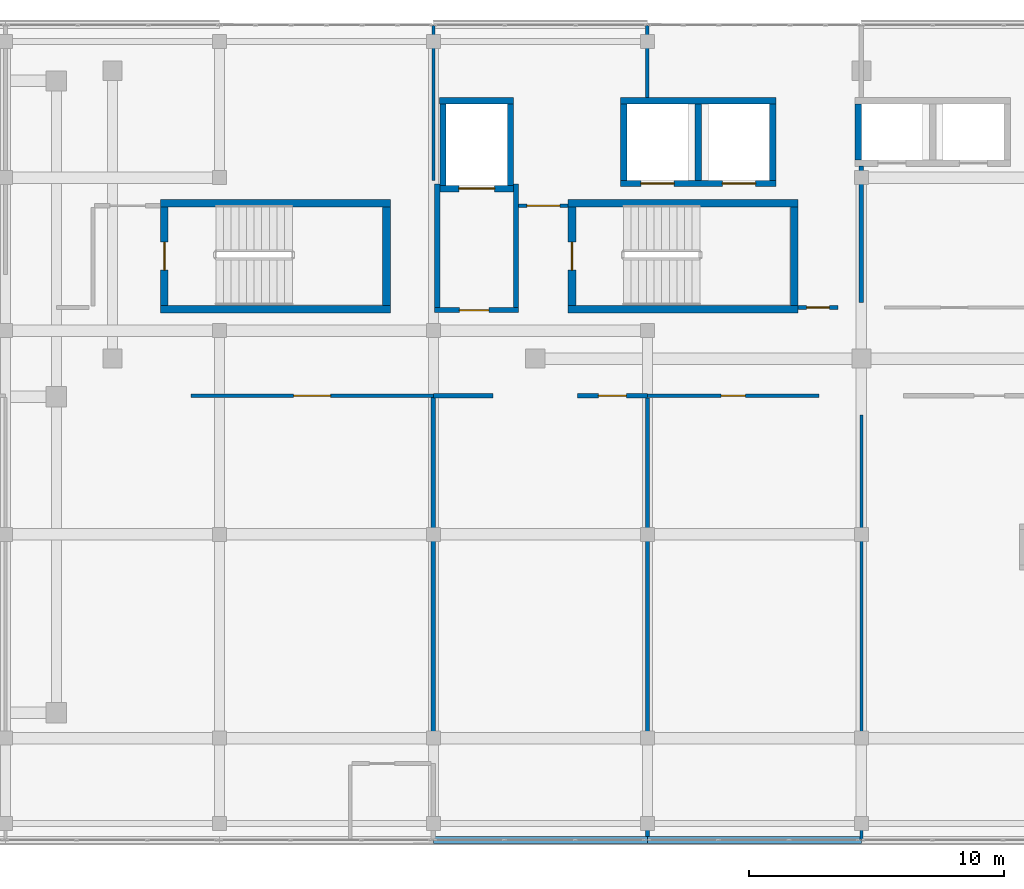
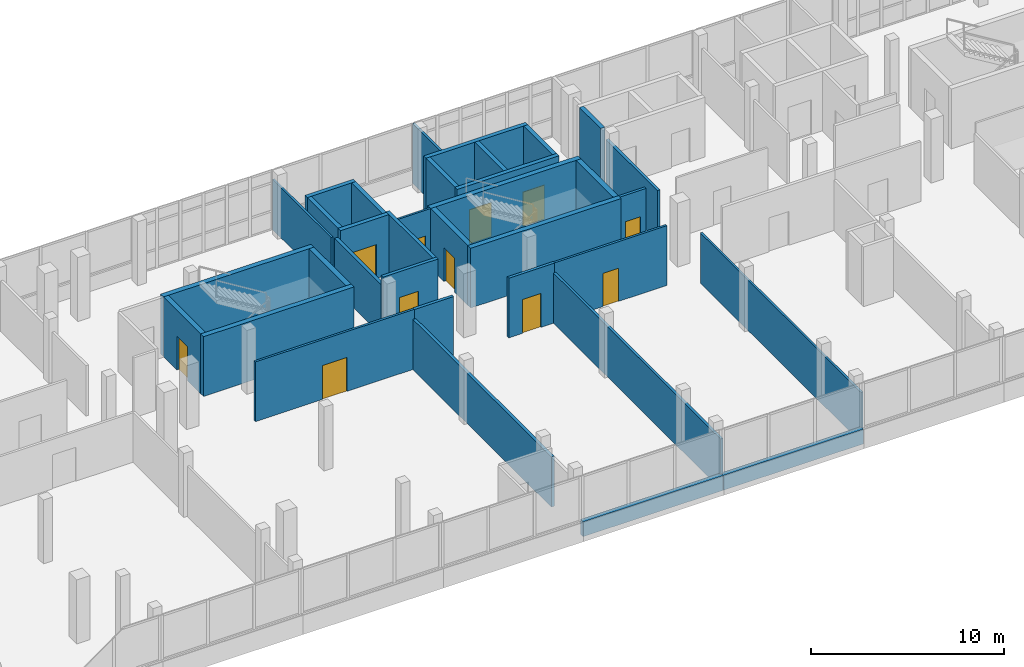
# One storey, part 57 of 66: 35 walls, 11 doors, 11 openings.
"""IFC4 building model written with IfcOpenShell, lengths in metres."""

from ifc_helpers import new_model, si_unit, direction, frame, frame_2d, origin, place, context, subcontext, project, spatial, rectangle, extrude, material, layer, layer_set, type_object, element, fill, save


model = new_model("IFC4")

# Units and contexts
model_context = context("Model", 3, precision=1e-05, world=origin(), true_north=direction((0.0, 1.0)))
body_context = subcontext(model_context, "Body", "Model", "MODEL_VIEW")
ifc_project = project(units=[si_unit("LENGTHUNIT", "METRE"), si_unit("AREAUNIT", "SQUARE_METRE"), si_unit("VOLUMEUNIT", "CUBIC_METRE"), si_unit("PLANEANGLEUNIT", "RADIAN"), si_unit("MASSUNIT", "GRAM", prefix="KILO")], contexts=[model_context])

# Site, building, storey
site_placement = place(None, origin())
site = spatial("IfcSite", under=ifc_project, at=site_placement, CompositionType="ELEMENT")
building_placement = place(site_placement, origin())
building = spatial("IfcBuilding", under=site, at=building_placement, Name="Selatvlak General Hospital", CompositionType="ELEMENT")
storey_placement = place(building_placement, frame((0.0, 0.0, 31.35009765625)))
storey = spatial("IfcBuildingStorey", under=building, at=storey_placement, Name="L07", CompositionType="ELEMENT", Elevation=31.35009765625)

# Walls
ifc_material_1 = material(Name="Precast concrete C40/50 - white Bauhaus spandrel", Category="concrete")
ifc_layer_1 = layer(ifc_material_1, 0.280029296875, Name="Precast concrete C40/50 - white Bauhaus spandrel", Category="concrete")
ifc_layer_set_1 = layer_set([ifc_layer_1], Name="Precast concrete C40/50 - white Bauhaus spandrel")
wall_type_1 = type_object("IfcWallType", Name="WALL-EW-02", PredefinedType="SOLIDWALL", material=ifc_layer_set_1)
for number, where, z_axis, x_axis, name in (
    (1, (115.197998046875, 88.0009765625, 0.0), (0.0, 0.0, 1.0), (-1.0, 0.0, 0.0), "L07 Bauhaus spandrel sill wall 0592"),
    (2, (106.798095703125, 88.0009765625, 0.0), (0.0, 0.0, 1.0), (-1.0, 0.0, 0.0), "L07 Bauhaus spandrel sill wall 0593"),
):
    element("IfcWall", number, at=place(storey_placement, frame(where, z_axis=z_axis, x_axis=x_axis)), inside=storey, type_object=wall_type_1, Name=name, PredefinedType="SOLIDWALL", context=body_context, shape_type="SweptSolid", body=[
        extrude(rectangle(XDim=8.39599609375, YDim=0.280029296875, at=frame_2d((4.197998046875, 0.0))), origin(), (0.0, 0.0, 1.0), 0.93994140625),
    ])

# Wall, opening, door
ifc_material_2 = material(Name="Concrete C40/50", Category="concrete")
ifc_layer_2 = layer(ifc_material_2, 0.199951171875, Name="Concrete C40/50", Category="concrete")
ifc_layer_set_2 = layer_set([ifc_layer_2], Name="Concrete C40/50")
wall_type_2 = type_object("IfcWallType", Name="WALL-IW-02", PredefinedType="SOLIDWALL", material=ifc_layer_set_2)
wall_1_placement = place(storey_placement, frame((98.449951171875, 108.800048828125, 0.0), z_axis=(0.0, 0.0, 1.0), x_axis=(1.0, 0.0, 0.0)))
wall_1 = element("IfcWall", 3, at=wall_1_placement, inside=storey, type_object=wall_type_2, Name="Firefighting lobby C2 wall L07 S", PredefinedType="SOLIDWALL", context=body_context, shape_type="SweptSolid", body=[
    extrude(rectangle(XDim=3.300048828125, YDim=0.199951171875, at=frame_2d((1.64990234375, 0.0))), origin(), (0.0, 0.0, 1.0), 3.784912109375),
])
opening_1_placement = place(wall_1_placement, frame((0.97509765625, 0.0, 0.0)))
opening_1 = element("IfcOpeningElement", 4, at=opening_1_placement, cuts=wall_1, Name="Opening D-06", PredefinedType="OPENING", context=body_context, shape_type="SweptSolid", body=[
    extrude(rectangle(XDim=1.14990234375, YDim=2.14990234375, at=frame_2d((0.574951171875, 1.074951171875))), frame((0.0, 0.10986328125, 0.0), z_axis=(0.0, -1.0, 0.0), x_axis=(1.0, 0.0, 0.0)), (0.0, 0.0, 1.0), 0.219970703125),
])
ifc_material_3 = material(Name="Firefighting lobby fire door")
door_type_1 = type_object("IfcDoorType", Name="DOOR-D-06", OperationType="NOTDEFINED", PredefinedType="DOOR", material=ifc_material_3)
door_1_placement = place(opening_1_placement, origin())
door_1 = element("IfcDoor", 5, at=door_1_placement, inside=storey, type_object=door_type_1, Name="Firefighting lobby C2 door on L07", OperationType="SINGLE_SWING_LEFT", OverallHeight=2.14990234375, OverallWidth=1.14990234375, PredefinedType="DOOR", context=body_context, shape_type="SweptSolid", body=[
    extrude(rectangle(XDim=1.14990234375, YDim=2.14990234375, at=frame_2d((0.574951171875, 1.074951171875))), frame((0.0, 0.02490234375, 0.0), z_axis=(0.0, -1.0, 0.0), x_axis=(1.0, 0.0, 0.0)), (0.0, 0.0, 1.0), 0.050048828125),
])
fill(opening_1, door_1)

# Walls
wall_2_placement = place(storey_placement, frame((101.64990234375, 108.89990234375, 0.0), z_axis=(0.0, 0.0, 1.0), x_axis=(0.0, 1.0, 0.0)))
element("IfcWall", 6, at=wall_2_placement, inside=storey, type_object=wall_type_2, Name="Firefighting lobby C2 wall L07 E", PredefinedType="SOLIDWALL", context=body_context, shape_type="SweptSolid", body=[
    extrude(rectangle(XDim=4.85009765625, YDim=0.199951171875, at=frame_2d((2.425048828125, 0.0))), origin(), (0.0, 0.0, 1.0), 3.784912109375),
])
wall_3_placement = place(storey_placement, frame((98.550048828125, 113.75, 0.0), z_axis=(0.0, 0.0, 1.0), x_axis=(0.0, -1.0, 0.0)))
element("IfcWall", 7, at=wall_3_placement, inside=storey, type_object=wall_type_2, Name="Firefighting lobby C2 wall L07 W", PredefinedType="SOLIDWALL", context=body_context, shape_type="SweptSolid", body=[
    extrude(rectangle(XDim=4.85009765625, YDim=0.199951171875, at=frame_2d((2.425048828125, 0.0))), origin(), (0.0, 0.0, 1.0), 3.184814453125),
])
ifc_material_4 = material(Name="Acoustic gypsum stud partition")
ifc_layer_3 = layer(ifc_material_4, 0.179931640625, Name="Acoustic gypsum stud partition")
ifc_layer_set_3 = layer_set([ifc_layer_3], Name="Acoustic gypsum stud partition")
wall_type_3 = type_object("IfcWallType", Name="WALL-PT-01", PredefinedType="PARTITIONING", material=ifc_layer_set_3)
wall_4_placement = place(storey_placement, frame((98.39990234375, 105.3759765625, 0.0), z_axis=(0.0, 0.0, 1.0), x_axis=(0.0, -1.0, 0.0)))
element("IfcWall", 8, at=wall_4_placement, inside=storey, type_object=wall_type_3, Name="L07 clinical partition PT-L07-2091", PredefinedType="PARTITIONING", context=body_context, shape_type="SweptSolid", body=[
    extrude(rectangle(XDim=14.3759765625, YDim=0.179931640625, at=frame_2d((7.18798828125, 0.0))), origin(), (0.0, 0.0, 1.0), 3.184814453125),
])
wall_5_placement = place(storey_placement, frame((98.39990234375, 105.43994140625, 0.0), z_axis=(0.0, 0.0, 1.0), x_axis=(1.0, 0.0, 0.0)))
element("IfcWall", 9, at=wall_5_placement, inside=storey, type_object=wall_type_3, Name="L07 clinical partition PT-L07-2095", PredefinedType="PARTITIONING", context=body_context, shape_type="SweptSolid", body=[
    extrude(rectangle(XDim=2.343994140625, YDim=0.179931640625, at=frame_2d((1.171875, 0.0))), origin(), (0.0, 0.0, 1.0), 3.784912109375),
])

# Wall, opening, door
ifc_layer_4 = layer(ifc_material_4, 0.1650390625, Name="Acoustic gypsum stud partition")
ifc_layer_set_4 = layer_set([ifc_layer_4], Name="Acoustic gypsum stud partition")
wall_type_4 = type_object("IfcWallType", Name="WALL-PT-02", PredefinedType="PARTITIONING", material=ifc_layer_set_4)
wall_6_placement = place(storey_placement, frame((104.055908203125, 105.43994140625, 0.0), z_axis=(0.0, 0.0, 1.0), x_axis=(1.0, 0.0, 0.0)))
wall_6 = element("IfcWall", 10, at=wall_6_placement, inside=storey, type_object=wall_type_4, Name="L07 clinical partition PT-L07-2096", PredefinedType="PARTITIONING", context=body_context, shape_type="SweptSolid", body=[
    extrude(rectangle(XDim=2.744140625, YDim=0.1650390625, at=frame_2d((1.3720703125, 0.0))), origin(), (0.0, 0.0, 1.0), 3.784912109375),
])
opening_2_placement = place(wall_6_placement, frame((0.822021484375, 0.0, 0.0)))
opening_2 = element("IfcOpeningElement", 11, at=opening_2_placement, cuts=wall_6, Name="Opening D-22", PredefinedType="OPENING", context=body_context, shape_type="SweptSolid", body=[
    extrude(rectangle(XDim=1.10009765625, YDim=2.14990234375, at=frame_2d((0.550048828125, 1.074951171875))), frame((0.0, 0.092529296875, 0.0), z_axis=(0.0, -1.0, 0.0), x_axis=(1.0, 0.0, 0.0)), (0.0, 0.0, 1.0), 0.18505859375),
])
ifc_material_5 = material(Name="Pharmacy security fire door")
door_type_2 = type_object("IfcDoorType", Name="DOOR-D-22", OperationType="NOTDEFINED", PredefinedType="DOOR", material=ifc_material_5)
door_2_placement = place(opening_2_placement, origin())
door_2 = element("IfcDoor", 12, at=door_2_placement, inside=storey, type_object=door_type_2, Name="L07 Orthopaedic Inpatient Ward Bay 08 door", OperationType="SINGLE_SWING_RIGHT", OverallHeight=2.14990234375, OverallWidth=1.10009765625, PredefinedType="DOOR", context=body_context, shape_type="SweptSolid", body=[
    extrude(rectangle(XDim=1.10009765625, YDim=2.14990234375, at=frame_2d((0.550048828125, 1.074951171875))), frame((0.0, 0.02490234375, 0.0), z_axis=(0.0, -1.0, 0.0), x_axis=(1.0, 0.0, 0.0)), (0.0, 0.0, 1.0), 0.050048828125),
])
fill(opening_2, door_2)

# Walls
wall_7_placement = place(storey_placement, frame((115.199951171875, 114.452880859375, 0.0), z_axis=(0.0, 0.0, 1.0), x_axis=(0.0, -1.0, 0.0)))
element("IfcWall", 13, at=wall_7_placement, inside=storey, type_object=wall_type_4, Name="L07 clinical partition PT-L07-2136", PredefinedType="PARTITIONING", context=body_context, shape_type="SweptSolid", body=[
    extrude(rectangle(XDim=5.3427734375, YDim=0.1650390625, at=frame_2d((2.67138671875, 0.0))), origin(), (0.0, 0.0, 1.0), 3.184814453125),
])
ifc_layer_5 = layer(ifc_material_4, 0.14990234375, Name="Acoustic gypsum stud partition")
ifc_layer_set_5 = layer_set([ifc_layer_5], Name="Acoustic gypsum stud partition")
wall_type_5 = type_object("IfcWallType", Name="WALL-PT-03", PredefinedType="PARTITIONING", material=ifc_layer_set_5)
wall_8_placement = place(storey_placement, frame((106.800048828125, 105.361083984375, 0.0), z_axis=(0.0, 0.0, 1.0), x_axis=(0.0, -1.0, 0.0)))
element("IfcWall", 14, at=wall_8_placement, inside=storey, type_object=wall_type_5, Name="L07 clinical partition PT-L07-2097", PredefinedType="PARTITIONING", context=body_context, shape_type="SweptSolid", body=[
    extrude(rectangle(XDim=17.35107421875, YDim=0.14990234375, at=frame_2d((8.675537109375, 0.0))), origin(), (0.0, 0.0, 1.0), 3.184814453125),
])

# Wall, opening, door
wall_9_placement = place(storey_placement, frame((114.287109375, 108.909912109375, 0.0), z_axis=(0.0, 0.0, 1.0), x_axis=(-1.0, 0.0, 0.0)))
wall_9 = element("IfcWall", 15, at=wall_9_placement, inside=storey, type_object=wall_type_5, Name="L07 clinical partition PT-L07-2137", PredefinedType="PARTITIONING", context=body_context, shape_type="SweptSolid", body=[
    extrude(rectangle(XDim=1.5771484375, YDim=0.14990234375, at=frame_2d((0.78857421875, 0.0))), origin(), (0.0, 0.0, 1.0), 3.784912109375),
])
opening_3_placement = place(wall_9_placement, frame((0.339111328125, 0.0, 0.0)))
opening_3 = element("IfcOpeningElement", 16, at=opening_3_placement, cuts=wall_9, Name="Opening D-01", PredefinedType="OPENING", context=body_context, shape_type="SweptSolid", body=[
    extrude(rectangle(XDim=0.89990234375, YDim=2.10009765625, at=frame_2d((0.449951171875, 1.050048828125))), frame((0.0, 0.0849609375, 0.0), z_axis=(0.0, -1.0, 0.0), x_axis=(1.0, 0.0, 0.0)), (0.0, 0.0, 1.0), 0.169921875),
])
ifc_material_6 = material(Name="Hardwood clinical room door", Category="wood")
door_type_3 = type_object("IfcDoorType", Name="DOOR-D-01", OperationType="NOTDEFINED", PredefinedType="DOOR", material=ifc_material_6)
door_3_placement = place(opening_3_placement, origin())
door_3 = element("IfcDoor", 17, at=door_3_placement, inside=storey, type_object=door_type_3, Name="L07 Hospital Administration Office 23 door", OperationType="SINGLE_SWING_LEFT", OverallHeight=2.10009765625, OverallWidth=0.89990234375, PredefinedType="DOOR", context=body_context, shape_type="SweptSolid", body=[
    extrude(rectangle(XDim=0.89990234375, YDim=2.10009765625, at=frame_2d((0.449951171875, 1.050048828125))), frame((0.0, 0.02490234375, 0.0), z_axis=(0.0, -1.0, 0.0), x_axis=(1.0, 0.0, 0.0)), (0.0, 0.0, 1.0), 0.050048828125),
])
fill(opening_3, door_3)

ifc_material_7 = material(Name="Moisture-resistant clinical partition")
ifc_layer_6 = layer(ifc_material_7, 0.135009765625, Name="Moisture-resistant clinical partition")
ifc_layer_set_6 = layer_set([ifc_layer_6], Name="Moisture-resistant clinical partition")
wall_type_6 = type_object("IfcWallType", Name="WALL-PT-04", PredefinedType="PARTITIONING", material=ifc_layer_set_6)
wall_10_placement = place(storey_placement, frame((88.8798828125, 105.43994140625, 0.0), z_axis=(0.0, 0.0, 1.0), x_axis=(1.0, 0.0, 0.0)))
wall_10 = element("IfcWall", 18, at=wall_10_placement, inside=storey, type_object=wall_type_6, Name="L07 clinical partition PT-L07-2090", PredefinedType="PARTITIONING", context=body_context, shape_type="SweptSolid", body=[
    extrude(rectangle(XDim=9.52001953125, YDim=0.135009765625, at=frame_2d((4.760009765625, 0.0))), origin(), (0.0, 0.0, 1.0), 3.784912109375),
])
opening_4_placement = place(wall_10_placement, frame((4.034912109375, 0.0, 0.0)))
opening_4 = element("IfcOpeningElement", 19, at=opening_4_placement, cuts=wall_10, Name="Opening D-12", PredefinedType="OPENING", context=body_context, shape_type="SweptSolid", body=[
    extrude(rectangle(XDim=1.449951171875, YDim=2.14990234375, at=frame_2d((0.72509765625, 1.074951171875))), frame((0.0, 0.077392578125, 0.0), z_axis=(0.0, -1.0, 0.0), x_axis=(1.0, 0.0, 0.0)), (0.0, 0.0, 1.0), 0.155029296875),
])
ifc_material_8 = material(Name="Isolation anteroom door")
door_type_4 = type_object("IfcDoorType", Name="DOOR-D-12", OperationType="NOTDEFINED", PredefinedType="DOOR", material=ifc_material_8)
door_4_placement = place(opening_4_placement, origin())
door_4 = element("IfcDoor", 20, at=door_4_placement, inside=storey, type_object=door_type_4, Name="L07 Single Patient Room 07 door", OperationType="SINGLE_SWING_RIGHT", OverallHeight=2.14990234375, OverallWidth=1.449951171875, PredefinedType="DOOR", context=body_context, shape_type="SweptSolid", body=[
    extrude(rectangle(XDim=1.449951171875, YDim=2.14990234375, at=frame_2d((0.72509765625, 1.074951171875))), frame((0.0, 0.02490234375, 0.0), z_axis=(0.0, -1.0, 0.0), x_axis=(1.0, 0.0, 0.0)), (0.0, 0.0, 1.0), 0.050048828125),
])
fill(opening_4, door_4)

wall_11_placement = place(storey_placement, frame((106.800048828125, 105.43994140625, 0.0), z_axis=(0.0, 0.0, 1.0), x_axis=(1.0, 0.0, 0.0)))
wall_11 = element("IfcWall", 21, at=wall_11_placement, inside=storey, type_object=wall_type_6, Name="L07 clinical partition PT-L07-2098", PredefinedType="PARTITIONING", context=body_context, shape_type="SweptSolid", body=[
    extrude(rectangle(XDim=6.743896484375, YDim=0.135009765625, at=frame_2d((3.3720703125, 0.0))), origin(), (0.0, 0.0, 1.0), 3.784912109375),
])
opening_5_placement = place(wall_11_placement, frame((2.89697265625, 0.0, 0.0)))
opening_5 = element("IfcOpeningElement", 22, at=opening_5_placement, cuts=wall_11, Name="Opening D-02", PredefinedType="OPENING", context=body_context, shape_type="SweptSolid", body=[
    extrude(rectangle(XDim=0.949951171875, YDim=2.10009765625, at=frame_2d((0.47509765625, 1.050048828125))), frame((0.0, 0.077392578125, 0.0), z_axis=(0.0, -1.0, 0.0), x_axis=(1.0, 0.0, 0.0)), (0.0, 0.0, 1.0), 0.155029296875),
])
ifc_material_9 = material(Name="Moisture-resistant en-suite door")
door_type_5 = type_object("IfcDoorType", Name="DOOR-D-02", OperationType="NOTDEFINED", PredefinedType="DOOR", material=ifc_material_9)
door_5_placement = place(opening_5_placement, origin())
door_5 = element("IfcDoor", 23, at=door_5_placement, inside=storey, type_object=door_type_5, Name="L07 Oncology Inpatient Ward Bay 09 door", OperationType="SINGLE_SWING_LEFT", OverallHeight=2.10009765625, OverallWidth=0.949951171875, PredefinedType="DOOR", context=body_context, shape_type="SweptSolid", body=[
    extrude(rectangle(XDim=0.949951171875, YDim=2.10009765625, at=frame_2d((0.47509765625, 1.050048828125))), frame((0.0, 0.02490234375, 0.0), z_axis=(0.0, -1.0, 0.0), x_axis=(1.0, 0.0, 0.0)), (0.0, 0.0, 1.0), 0.050048828125),
])
fill(opening_5, door_5)

# Walls
wall_12_placement = place(storey_placement, frame((106.800048828125, 119.989990234375, 0.0), z_axis=(0.0, 0.0, 1.0), x_axis=(0.0, -1.0, 0.0)))
element("IfcWall", 24, at=wall_12_placement, inside=storey, type_object=wall_type_6, Name="L07 clinical partition PT-L07-2133", PredefinedType="PARTITIONING", context=body_context, shape_type="SweptSolid", body=[
    extrude(rectangle(XDim=2.843017578125, YDim=0.135009765625, at=frame_2d((1.42138671875, 0.0))), origin(), (0.0, 0.0, 1.0), 3.784912109375),
])
ifc_layer_7 = layer(ifc_material_7, 0.1201171875, Name="Moisture-resistant clinical partition")
ifc_layer_set_7 = layer_set([ifc_layer_7], Name="Moisture-resistant clinical partition")
wall_type_7 = type_object("IfcWallType", Name="WALL-PT-05", PredefinedType="PARTITIONING", material=ifc_layer_set_7)
wall_13_placement = place(storey_placement, frame((115.199951171875, 104.68994140625, 0.0), z_axis=(0.0, 0.0, 1.0), x_axis=(0.0, -1.0, 0.0)))
element("IfcWall", 25, at=wall_13_placement, inside=storey, type_object=wall_type_7, Name="L07 clinical partition PT-L07-2099", PredefinedType="PARTITIONING", context=body_context, shape_type="SweptSolid", body=[
    extrude(rectangle(XDim=16.679931640625, YDim=0.1201171875, at=frame_2d((8.33984375, 0.0))), origin(), (0.0, 0.0, 1.0), 3.184814453125),
])
wall_14_placement = place(storey_placement, frame((98.39990234375, 119.989990234375, 0.0), z_axis=(0.0, 0.0, 1.0), x_axis=(0.0, -1.0, 0.0)))
element("IfcWall", 26, at=wall_14_placement, inside=storey, type_object=wall_type_7, Name="L07 clinical partition PT-L07-2129", PredefinedType="PARTITIONING", context=body_context, shape_type="SweptSolid", body=[
    extrude(rectangle(XDim=6.091064453125, YDim=0.1201171875, at=frame_2d((3.04541015625, 0.0))), origin(), (0.0, 0.0, 1.0), 3.184814453125),
])

# Wall, opening, door
wall_15_placement = place(storey_placement, frame((103.68994140625, 112.89990234375, 0.0), z_axis=(0.0, 0.0, 1.0), x_axis=(-1.0, 0.0, 0.0)))
wall_15 = element("IfcWall", 27, at=wall_15_placement, inside=storey, type_object=wall_type_7, Name="L07 clinical partition PT-L07-2134", PredefinedType="PARTITIONING", context=body_context, shape_type="SweptSolid", body=[
    extrude(rectangle(XDim=1.94287109375, YDim=0.1201171875, at=frame_2d((0.971435546875, 0.0))), origin(), (0.0, 0.0, 1.0), 3.784912109375),
])
opening_6_placement = place(wall_15_placement, frame((0.321044921875, 0.0, 0.0)))
opening_6 = element("IfcOpeningElement", 28, at=opening_6_placement, cuts=wall_15, Name="Opening D-24", PredefinedType="OPENING", context=body_context, shape_type="SweptSolid", body=[
    extrude(rectangle(XDim=1.300048828125, YDim=2.14990234375, at=frame_2d((0.64990234375, 1.074951171875))), frame((0.0, 0.070068359375, 0.0), z_axis=(0.0, -1.0, 0.0), x_axis=(1.0, 0.0, 0.0)), (0.0, 0.0, 1.0), 0.14013671875),
])
ifc_material_10 = material(Name="Oncology bay door")
door_type_6 = type_object("IfcDoorType", Name="DOOR-D-24", OperationType="NOTDEFINED", PredefinedType="DOOR", material=ifc_material_10)
door_6_placement = place(opening_6_placement, origin())
door_6 = element("IfcDoor", 29, at=door_6_placement, inside=storey, type_object=door_type_6, Name="L07 Clinical Simulation Seminar Room 22 door", OperationType="SINGLE_SWING_RIGHT", OverallHeight=2.14990234375, OverallWidth=1.300048828125, PredefinedType="DOOR", context=body_context, shape_type="SweptSolid", body=[
    extrude(rectangle(XDim=1.300048828125, YDim=2.14990234375, at=frame_2d((0.64990234375, 1.074951171875))), frame((0.0, 0.02490234375, 0.0), z_axis=(0.0, -1.0, 0.0), x_axis=(1.0, 0.0, 0.0)), (0.0, 0.0, 1.0), 0.050048828125),
])
fill(opening_6, door_6)

# Walls
ifc_material_11 = material(Name="Concrete C45/55", Category="concrete")
ifc_layer_8 = layer(ifc_material_11, 0.300048828125, Name="Concrete C45/55", Category="concrete")
ifc_layer_set_8 = layer_set([ifc_layer_8], Name="Concrete C45/55")
wall_type_8 = type_object("IfcWallType", Name="WALL-SW-02", PredefinedType="SHEAR", material=ifc_layer_set_8)
wall_16_placement = place(storey_placement, frame((87.68994140625, 108.840087890625, 0.0), z_axis=(0.0, 0.0, 1.0), x_axis=(1.0, 0.0, 0.0)))
element("IfcWall", 30, at=wall_16_placement, inside=storey, type_object=wall_type_8, Name="ST-02 core shear wall L07 S", PredefinedType="SHEAR", context=body_context, shape_type="SweptSolid", body=[
    extrude(rectangle(XDim=9.02001953125, YDim=0.300048828125, at=frame_2d((4.510009765625, 0.0))), origin(), (0.0, 0.0, 1.0), 3.784912109375),
])
wall_17_placement = place(storey_placement, frame((96.56005859375, 108.989990234375, 0.0), z_axis=(0.0, 0.0, 1.0), x_axis=(0.0, 1.0, 0.0)))
element("IfcWall", 31, at=wall_17_placement, inside=storey, type_object=wall_type_8, Name="ST-02 core shear wall L07 E", PredefinedType="SHEAR", context=body_context, shape_type="SweptSolid", body=[
    extrude(rectangle(XDim=3.860107421875, YDim=0.300048828125, at=frame_2d((1.93017578125, 0.0))), origin(), (0.0, 0.0, 1.0), 3.784912109375),
])
wall_18_placement = place(storey_placement, frame((96.7099609375, 113.0, 0.0), z_axis=(0.0, 0.0, 1.0), x_axis=(-1.0, 0.0, 0.0)))
element("IfcWall", 32, at=wall_18_placement, inside=storey, type_object=wall_type_8, Name="ST-02 core shear wall L07 N", PredefinedType="SHEAR", context=body_context, shape_type="SweptSolid", body=[
    extrude(rectangle(XDim=9.02001953125, YDim=0.300048828125, at=frame_2d((4.510009765625, 0.0))), origin(), (0.0, 0.0, 1.0), 3.784912109375),
])

# Wall, opening, door
wall_19_placement = place(storey_placement, frame((87.840087890625, 112.85009765625, 0.0), z_axis=(0.0, 0.0, 1.0), x_axis=(0.0, -1.0, 0.0)))
wall_19 = element("IfcWall", 33, at=wall_19_placement, inside=storey, type_object=wall_type_8, Name="ST-02 core shear wall L07 W", PredefinedType="SHEAR", context=body_context, shape_type="SweptSolid", body=[
    extrude(rectangle(XDim=3.860107421875, YDim=0.300048828125, at=frame_2d((1.93017578125, 0.0))), origin(), (0.0, 0.0, 1.0), 3.784912109375),
])
opening_7_placement = place(wall_19_placement, frame((1.3798828125, 0.0, 0.0)))
opening_7 = element("IfcOpeningElement", 34, at=opening_7_placement, cuts=wall_19, Name="Opening D-05", PredefinedType="OPENING", context=body_context, shape_type="SweptSolid", body=[
    extrude(rectangle(XDim=1.10009765625, YDim=2.14990234375, at=frame_2d((0.550048828125, 1.074951171875))), frame((0.0, 0.159912109375, 0.0), z_axis=(0.0, -1.0, 0.0), x_axis=(1.0, 0.0, 0.0)), (0.0, 0.0, 1.0), 0.320068359375),
])
ifc_material_12 = material(Name="Protected stair fire door")
door_type_7 = type_object("IfcDoorType", Name="DOOR-D-05", OperationType="NOTDEFINED", PredefinedType="DOOR", material=ifc_material_12)
door_7_placement = place(opening_7_placement, origin())
door_7 = element("IfcDoor", 35, at=door_7_placement, inside=storey, type_object=door_type_7, Name="ST-02 protected stair door on L07", OperationType="SINGLE_SWING_RIGHT", OverallHeight=2.14990234375, OverallWidth=1.10009765625, PredefinedType="DOOR", context=body_context, shape_type="SweptSolid", body=[
    extrude(rectangle(XDim=1.10009765625, YDim=2.14990234375, at=frame_2d((0.550048828125, 1.074951171875))), frame((0.0, 0.02490234375, 0.0), z_axis=(0.0, -1.0, 0.0), x_axis=(1.0, 0.0, 0.0)), (0.0, 0.0, 1.0), 0.050048828125),
])
fill(opening_7, door_7)

# Walls
wall_20_placement = place(storey_placement, frame((103.68994140625, 108.840087890625, 0.0), z_axis=(0.0, 0.0, 1.0), x_axis=(1.0, 0.0, 0.0)))
element("IfcWall", 36, at=wall_20_placement, inside=storey, type_object=wall_type_8, Name="ST-03 core shear wall L07 S", PredefinedType="SHEAR", context=body_context, shape_type="SweptSolid", body=[
    extrude(rectangle(XDim=9.02001953125, YDim=0.300048828125, at=frame_2d((4.510009765625, 0.0))), origin(), (0.0, 0.0, 1.0), 3.784912109375),
])
wall_21_placement = place(storey_placement, frame((112.56005859375, 108.989990234375, 0.0), z_axis=(0.0, 0.0, 1.0), x_axis=(0.0, 1.0, 0.0)))
element("IfcWall", 37, at=wall_21_placement, inside=storey, type_object=wall_type_8, Name="ST-03 core shear wall L07 E", PredefinedType="SHEAR", context=body_context, shape_type="SweptSolid", body=[
    extrude(rectangle(XDim=3.860107421875, YDim=0.300048828125, at=frame_2d((1.93017578125, 0.0))), origin(), (0.0, 0.0, 1.0), 3.784912109375),
])
wall_22_placement = place(storey_placement, frame((112.7099609375, 113.0, 0.0), z_axis=(0.0, 0.0, 1.0), x_axis=(-1.0, 0.0, 0.0)))
element("IfcWall", 38, at=wall_22_placement, inside=storey, type_object=wall_type_8, Name="ST-03 core shear wall L07 N", PredefinedType="SHEAR", context=body_context, shape_type="SweptSolid", body=[
    extrude(rectangle(XDim=9.02001953125, YDim=0.300048828125, at=frame_2d((4.510009765625, 0.0))), origin(), (0.0, 0.0, 1.0), 3.784912109375),
])

# Wall, opening, door
wall_23_placement = place(storey_placement, frame((103.840087890625, 112.85009765625, 0.0), z_axis=(0.0, 0.0, 1.0), x_axis=(0.0, -1.0, 0.0)))
wall_23 = element("IfcWall", 39, at=wall_23_placement, inside=storey, type_object=wall_type_8, Name="ST-03 core shear wall L07 W", PredefinedType="SHEAR", context=body_context, shape_type="SweptSolid", body=[
    extrude(rectangle(XDim=3.860107421875, YDim=0.300048828125, at=frame_2d((1.93017578125, 0.0))), origin(), (0.0, 0.0, 1.0), 3.784912109375),
])
opening_8_placement = place(wall_23_placement, frame((1.3798828125, 0.0, 0.0)))
opening_8 = element("IfcOpeningElement", 40, at=opening_8_placement, cuts=wall_23, Name="Opening D-05", PredefinedType="OPENING", context=body_context, shape_type="SweptSolid", body=[
    extrude(rectangle(XDim=1.10009765625, YDim=2.14990234375, at=frame_2d((0.550048828125, 1.074951171875))), frame((0.0, 0.159912109375, 0.0), z_axis=(0.0, -1.0, 0.0), x_axis=(1.0, 0.0, 0.0)), (0.0, 0.0, 1.0), 0.320068359375),
])
door_8_placement = place(opening_8_placement, origin())
door_8 = element("IfcDoor", 41, at=door_8_placement, inside=storey, type_object=door_type_7, Name="ST-03 protected stair door on L07", OperationType="SINGLE_SWING_LEFT", OverallHeight=2.14990234375, OverallWidth=1.10009765625, PredefinedType="DOOR", context=body_context, shape_type="SweptSolid", body=[
    extrude(rectangle(XDim=1.10009765625, YDim=2.14990234375, at=frame_2d((0.550048828125, 1.074951171875))), frame((0.0, 0.02490234375, 0.0), z_axis=(0.0, -1.0, 0.0), x_axis=(1.0, 0.0, 0.0)), (0.0, 0.0, 1.0), 0.050048828125),
])
fill(opening_8, door_8)

ifc_layer_9 = layer(ifc_material_2, 0.25, Name="Concrete C40/50", Category="concrete")
ifc_layer_set_9 = layer_set([ifc_layer_9], Name="Concrete C40/50")
wall_type_9 = type_object("IfcWallType", Name="WALL-SW-03", PredefinedType="SHEAR", material=ifc_layer_set_9)
wall_24_placement = place(storey_placement, frame((98.64990234375, 113.574951171875, 0.0), z_axis=(0.0, 0.0, 1.0), x_axis=(1.0, 0.0, 0.0)))
wall_24 = element("IfcWall", 42, at=wall_24_placement, inside=storey, type_object=wall_type_9, Name="Lift LF-02 shaft wall L07 S", PredefinedType="SHEAR", context=body_context, shape_type="SweptSolid", body=[
    extrude(rectangle(XDim=2.900146484375, YDim=0.25, at=frame_2d((1.4501953125, 0.0))), origin(), (0.0, 0.0, 1.0), 3.784912109375),
])
opening_9_placement = place(wall_24_placement, frame((0.75, 0.0, 0.0)))
opening_9 = element("IfcOpeningElement", 43, at=opening_9_placement, cuts=wall_24, Name="Opening LD-F1", PredefinedType="OPENING", context=body_context, shape_type="SweptSolid", body=[
    extrude(rectangle(XDim=1.39990234375, YDim=2.14990234375, at=frame_2d((0.699951171875, 1.074951171875))), frame((0.0, 0.135009765625, 0.0), z_axis=(0.0, -1.0, 0.0), x_axis=(1.0, 0.0, 0.0)), (0.0, 0.0, 1.0), 0.27001953125),
])
ifc_material_13 = material(Name="Stainless steel fire lift landing door", Category="steel")
door_type_8 = type_object("IfcDoorType", Name="DOOR-LD-F1", OperationType="DOUBLE_DOOR_SLIDING", PredefinedType="DOOR", material=ifc_material_13)
door_9_placement = place(opening_9_placement, origin())
door_9 = element("IfcDoor", 44, at=door_9_placement, inside=storey, type_object=door_type_8, Name="Lift LF-02 sliding landing door on L07", OperationType="DOUBLE_DOOR_SLIDING", OverallHeight=2.14990234375, OverallWidth=1.39990234375, PredefinedType="DOOR", context=body_context, shape_type="SweptSolid", body=[
    extrude(rectangle(XDim=1.39990234375, YDim=2.14990234375, at=frame_2d((0.699951171875, 1.074951171875))), frame((0.0, 0.02490234375, 0.0), z_axis=(0.0, -1.0, 0.0), x_axis=(1.0, 0.0, 0.0)), (0.0, 0.0, 1.0), 0.050048828125),
])
fill(opening_9, door_9)

# Walls
wall_25_placement = place(storey_placement, frame((101.425048828125, 113.699951171875, 0.0), z_axis=(0.0, 0.0, 1.0), x_axis=(0.0, 1.0, 0.0)))
element("IfcWall", 45, at=wall_25_placement, inside=storey, type_object=wall_type_9, Name="Lift LF-02 shaft wall L07 E", PredefinedType="SHEAR", context=body_context, shape_type="SweptSolid", body=[
    extrude(rectangle(XDim=3.199951171875, YDim=0.25, at=frame_2d((1.60009765625, 0.0))), origin(), (0.0, 0.0, 1.0), 3.784912109375),
])
wall_26_placement = place(storey_placement, frame((101.550048828125, 117.02490234375, 0.0), z_axis=(0.0, 0.0, 1.0), x_axis=(-1.0, 0.0, 0.0)))
element("IfcWall", 46, at=wall_26_placement, inside=storey, type_object=wall_type_9, Name="Lift LF-02 shaft wall L07 N", PredefinedType="SHEAR", context=body_context, shape_type="SweptSolid", body=[
    extrude(rectangle(XDim=2.900146484375, YDim=0.25, at=frame_2d((1.4501953125, 0.0))), origin(), (0.0, 0.0, 1.0), 3.784912109375),
])
wall_27_placement = place(storey_placement, frame((98.77490234375, 116.89990234375, 0.0), z_axis=(0.0, 0.0, 1.0), x_axis=(0.0, -1.0, 0.0)))
element("IfcWall", 47, at=wall_27_placement, inside=storey, type_object=wall_type_9, Name="Lift LF-02 shaft wall L07 W", PredefinedType="SHEAR", context=body_context, shape_type="SweptSolid", body=[
    extrude(rectangle(XDim=3.199951171875, YDim=0.25, at=frame_2d((1.60009765625, 0.0))), origin(), (0.0, 0.0, 1.0), 3.784912109375),
])

# Wall, openings, doors
wall_28_placement = place(storey_placement, frame((105.75, 113.77490234375, 0.0), z_axis=(0.0, 0.0, 1.0), x_axis=(1.0, 0.0, 0.0)))
wall_28 = element("IfcWall", 48, at=wall_28_placement, inside=storey, type_object=wall_type_9, Name="Lift LS-01-LS-02 shaft wall L07 S", PredefinedType="SHEAR", context=body_context, shape_type="SweptSolid", body=[
    extrude(rectangle(XDim=6.10009765625, YDim=0.25, at=frame_2d((3.050048828125, 0.0))), origin(), (0.0, 0.0, 1.0), 3.784912109375),
])
opening_10_placement = place(wall_28_placement, frame((0.800048828125, 0.0, 0.0)))
opening_10 = element("IfcOpeningElement", 49, at=opening_10_placement, cuts=wall_28, Name="Opening LD-S1", PredefinedType="OPENING", context=body_context, shape_type="SweptSolid", body=[
    extrude(rectangle(XDim=1.300048828125, YDim=2.14990234375, at=frame_2d((0.64990234375, 1.074951171875))), frame((0.0, 0.135009765625, 0.0), z_axis=(0.0, -1.0, 0.0), x_axis=(1.0, 0.0, 0.0)), (0.0, 0.0, 1.0), 0.27001953125),
])
opening_11_placement = place(wall_28_placement, frame((4.0, 0.0, 0.0)))
opening_11 = element("IfcOpeningElement", 50, at=opening_11_placement, cuts=wall_28, Name="Opening LD-S1", PredefinedType="OPENING", context=body_context, shape_type="SweptSolid", body=[
    extrude(rectangle(XDim=1.300048828125, YDim=2.14990234375, at=frame_2d((0.64990234375, 1.074951171875))), frame((0.0, 0.135009765625, 0.0), z_axis=(0.0, -1.0, 0.0), x_axis=(1.0, 0.0, 0.0)), (0.0, 0.0, 1.0), 0.27001953125),
])
ifc_material_14 = material(Name="Stainless steel goods lift landing door", Category="steel")
door_type_9 = type_object("IfcDoorType", Name="DOOR-LD-S1", OperationType="DOUBLE_DOOR_SLIDING", PredefinedType="DOOR", material=ifc_material_14)
door_10_placement = place(opening_10_placement, origin())
door_10 = element("IfcDoor", 51, at=door_10_placement, inside=storey, type_object=door_type_9, Name="Lift LS-01 sliding landing door on L07", OperationType="DOUBLE_DOOR_SLIDING", OverallHeight=2.14990234375, OverallWidth=1.300048828125, PredefinedType="DOOR", context=body_context, shape_type="SweptSolid", body=[
    extrude(rectangle(XDim=1.300048828125, YDim=2.14990234375, at=frame_2d((0.64990234375, 1.074951171875))), frame((0.0, 0.02490234375, 0.0), z_axis=(0.0, -1.0, 0.0), x_axis=(1.0, 0.0, 0.0)), (0.0, 0.0, 1.0), 0.050048828125),
])
fill(opening_10, door_10)
door_11_placement = place(opening_11_placement, origin())
door_11 = element("IfcDoor", 52, at=door_11_placement, inside=storey, type_object=door_type_9, Name="Lift LS-02 sliding landing door on L07", OperationType="DOUBLE_DOOR_SLIDING", OverallHeight=2.14990234375, OverallWidth=1.300048828125, PredefinedType="DOOR", context=body_context, shape_type="SweptSolid", body=[
    extrude(rectangle(XDim=1.300048828125, YDim=2.14990234375, at=frame_2d((0.64990234375, 1.074951171875))), frame((0.0, 0.02490234375, 0.0), z_axis=(0.0, -1.0, 0.0), x_axis=(1.0, 0.0, 0.0)), (0.0, 0.0, 1.0), 0.050048828125),
])
fill(opening_11, door_11)

# Walls
wall_29_placement = place(storey_placement, frame((111.72509765625, 113.89990234375, 0.0), z_axis=(0.0, 0.0, 1.0), x_axis=(0.0, 1.0, 0.0)))
element("IfcWall", 53, at=wall_29_placement, inside=storey, type_object=wall_type_9, Name="Lift LS-01-LS-02 shaft wall L07 E", PredefinedType="SHEAR", context=body_context, shape_type="SweptSolid", body=[
    extrude(rectangle(XDim=3.0, YDim=0.25, at=frame_2d((1.5, 0.0))), origin(), (0.0, 0.0, 1.0), 3.784912109375),
])
wall_30_placement = place(storey_placement, frame((111.85009765625, 117.02490234375, 0.0), z_axis=(0.0, 0.0, 1.0), x_axis=(-1.0, 0.0, 0.0)))
element("IfcWall", 54, at=wall_30_placement, inside=storey, type_object=wall_type_9, Name="Lift LS-01-LS-02 shaft wall L07 N", PredefinedType="SHEAR", context=body_context, shape_type="SweptSolid", body=[
    extrude(rectangle(XDim=6.10009765625, YDim=0.25, at=frame_2d((3.050048828125, 0.0))), origin(), (0.0, 0.0, 1.0), 3.784912109375),
])
for number, where, z_axis, x_axis, name in (
    (55, (105.875, 116.89990234375, 0.0), (0.0, 0.0, 1.0), (0.0, -1.0, 0.0), "Lift LS-01-LS-02 shaft wall L07 W"),
    (56, (108.800048828125, 113.89990234375, 0.0), (0.0, 0.0, 1.0), (0.0, 1.0, 0.0), "Lift LS-01-LS-02 dividing shaft wall L07"),
):
    element("IfcWall", number, at=place(storey_placement, frame(where, z_axis=z_axis, x_axis=x_axis)), inside=storey, type_object=wall_type_9, Name=name, PredefinedType="SHEAR", context=body_context, shape_type="SweptSolid", body=[
        extrude(rectangle(XDim=3.0, YDim=0.25, at=frame_2d((1.5, 0.0))), origin(), (0.0, 0.0, 1.0), 3.784912109375),
    ])
wall_31_placement = place(storey_placement, frame((115.074951171875, 116.89990234375, 0.0), z_axis=(0.0, 0.0, 1.0), x_axis=(0.0, -1.0, 0.0)))
element("IfcWall", 57, at=wall_31_placement, inside=storey, type_object=wall_type_9, Name="Lift LP-05-LP-06 shaft wall L07 W", PredefinedType="SHEAR", context=body_context, shape_type="SweptSolid", body=[
    extrude(rectangle(XDim=2.199951171875, YDim=0.25, at=frame_2d((1.10009765625, 0.0))), origin(), (0.0, 0.0, 1.0), 3.784912109375),
])

save(model, "model.ifc")
